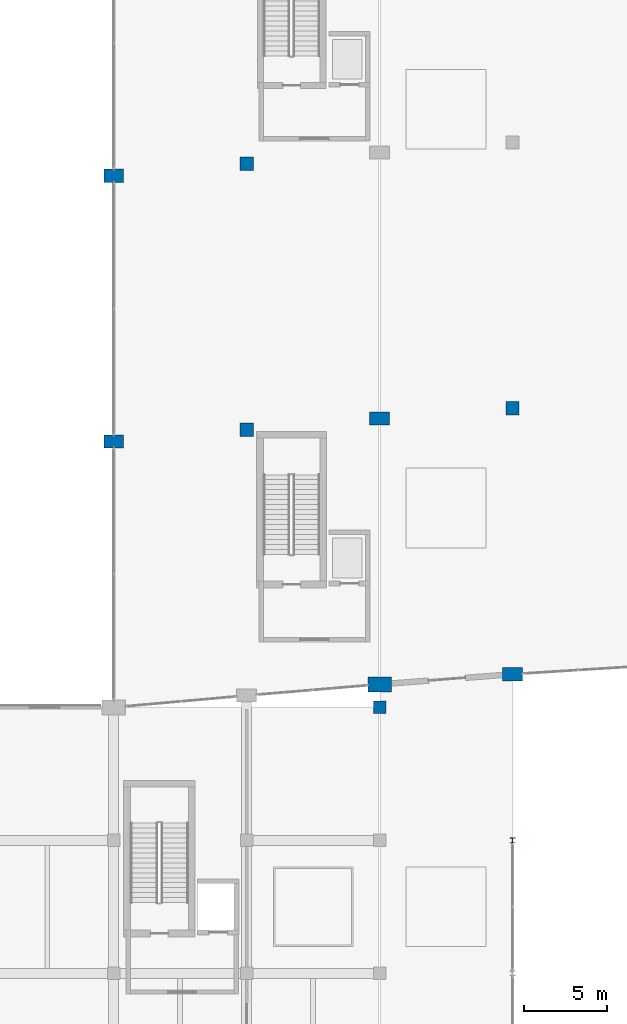
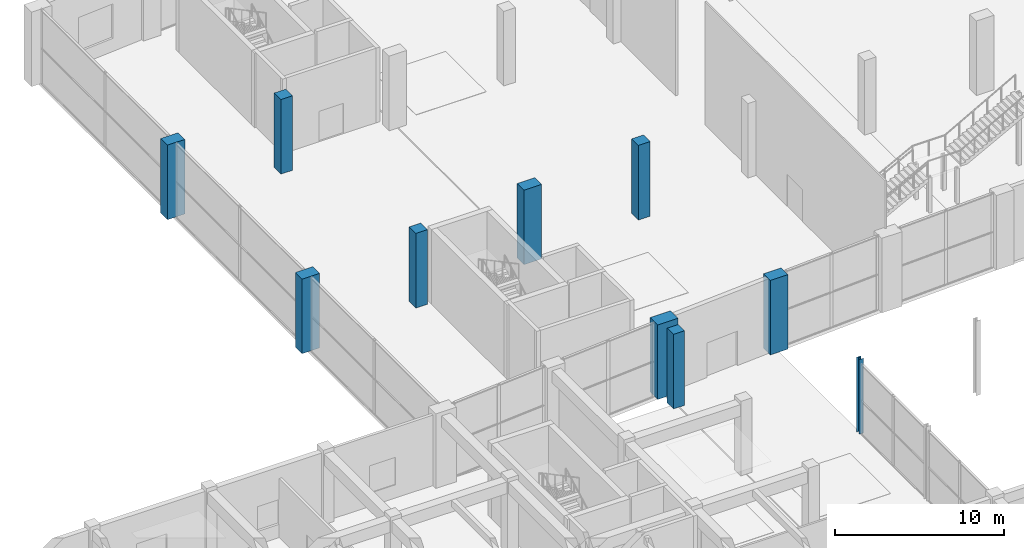
# One storey, part 10 of 86: 10 columns.
"""IFC4 building model written with IfcOpenShell, lengths in metres."""

import ifcopenshell
import ifcopenshell.guid

model = None  # the IFC model being written
_history = None  # IfcOwnerHistory: only IFC2X3 demands one
_inside = {}  # id of a spatial element -> (the spatial element, [elements in it])
_under = {}  # id of a project, library or spatial element -> (it, [spatial elements below it])
_declared = {}  # id of a project -> (the project, [libraries it declares])
_typed = {}  # id of a type object -> (the type object, [elements of that type])
_made_of = {}  # id of a material, layer set ... -> (it, [elements and type objects made of it])


def new_model(schema):
    """Start an empty IFC model of exactly this schema.

    Asked for "IFC4X3", IfcOpenShell would pick the latest addendum, in which some entities
    have other attributes; the version numbers below select the first issue.
    IFC2X3 requires an IfcOwnerHistory on every rooted entity: one is made here for all.
    """
    global model, _history
    if schema == "IFC4X3":
        model = ifcopenshell.file(schema_version=(4, 3, 0, 0))
    else:
        model = ifcopenshell.file(schema=schema)
    _inside.clear()
    _under.clear()
    _declared.clear()
    _typed.clear()
    _made_of.clear()
    _history = None
    if model.schema == "IFC2X3":
        org = make("IfcOrganization", Name="unknown")
        user = make(
            "IfcPersonAndOrganization",
            ThePerson=make("IfcPerson", FamilyName="unknown"),
            TheOrganization=org,
        )
        app = make(
            "IfcApplication",
            ApplicationDeveloper=org,
            Version="unknown",
            ApplicationFullName="unknown",
            ApplicationIdentifier="unknown",
        )
        _history = make(
            "IfcOwnerHistory",
            OwningUser=user,
            OwningApplication=app,
            ChangeAction="ADDED",
            CreationDate=0,
        )
    return model


def make(cls, **values):
    """One entity of the class cls with the attributes given. An attribute that is None is left unset."""
    return model.create_entity(
        cls, **{name: value for name, value in values.items() if value is not None}
    )


def rooted(cls, **values):
    """An entity with a GlobalId (a new one), such as an element, a storey or a relation."""
    return make(cls, GlobalId=ifcopenshell.guid.new(), OwnerHistory=_history, **values)


def si_unit(unit_type, name, prefix=None):
    """IfcSIUnit, for example si_unit("LENGTHUNIT", "METRE", prefix="MILLI")."""
    return make("IfcSIUnit", UnitType=unit_type, Prefix=prefix, Name=name)


def assignment(units):
    """IfcUnitAssignment: the units of a project."""
    return None if units is None else make("IfcUnitAssignment", Units=units)


def point(xyz):
    """IfcCartesianPoint."""
    return None if xyz is None else make("IfcCartesianPoint", Coordinates=xyz)


def direction(xyz):
    """IfcDirection."""
    return None if xyz is None else make("IfcDirection", DirectionRatios=xyz)


def frame(location, z_axis=None, x_axis=None):
    """IfcAxis2Placement3D, a coordinate frame: its origin and axes. An axis left out is left unset."""
    return make(
        "IfcAxis2Placement3D",
        Location=point(location),
        Axis=direction(z_axis),
        RefDirection=direction(x_axis),
    )


def frame_2d(location, x_axis=None):
    """IfcAxis2Placement2D, a coordinate frame in the plane: its origin and x axis."""
    return make(
        "IfcAxis2Placement2D", Location=point(location), RefDirection=direction(x_axis)
    )


def origin():
    """The frame at (0, 0, 0) with its axes left unset."""
    return frame((0.0, 0.0, 0.0))


def origin_2d():
    """The frame at (0, 0) in the plane with its x axis left unset."""
    return frame_2d((0.0, 0.0))


def place(relative_to, where):
    """IfcLocalPlacement: puts the frame where relative to a parent placement (None: the world)."""
    return make(
        "IfcLocalPlacement", PlacementRelTo=relative_to, RelativePlacement=where
    )


def context(
    kind, dimensions, precision=None, world=None, true_north=None, identifier=None
):
    """IfcGeometricRepresentationContext, for example the 3D "Model" context."""
    return make(
        "IfcGeometricRepresentationContext",
        ContextIdentifier=identifier,
        ContextType=kind,
        CoordinateSpaceDimension=dimensions,
        Precision=precision,
        WorldCoordinateSystem=world,
        TrueNorth=true_north,
    )


def subcontext(parent, identifier, kind, view, scale=None):
    """IfcGeometricRepresentationSubContext, for example "Body" below "Model"."""
    return make(
        "IfcGeometricRepresentationSubContext",
        ContextIdentifier=identifier,
        ContextType=kind,
        ParentContext=parent,
        TargetScale=scale,
        TargetView=view,
    )


def project(units=None, contexts=None):
    """IfcProject with its units and contexts."""
    return rooted(
        "IfcProject",
        Name="project",
        RepresentationContexts=contexts,
        UnitsInContext=assignment(units),
    )


def spatial(cls, under=None, at=None, **own):
    """A site, building, storey or space (cls), placed at a placement, below another one or the project."""
    s = rooted(cls, ObjectPlacement=at, **own)
    if under is not None:
        _under.setdefault(under.id(), (under, []))[1].append(s)
    return s


def profile(cls, at=None, kind="AREA", **sizes):
    """A parametric profile (cls). Its sizes go by their IFC names, for example OverallWidth=200.0."""
    return make(cls, ProfileType=kind, Position=at, **sizes)


def rectangle(**sizes):
    """IfcRectangleProfileDef."""
    return profile("IfcRectangleProfileDef", **sizes)


def i_section(**sizes):
    """IfcIShapeProfileDef."""
    return profile("IfcIShapeProfileDef", **sizes)


def extrude(swept, where, along, depth):
    """IfcExtrudedAreaSolid: the profile swept, set in the frame where, extruded along a direction by depth."""
    return make(
        "IfcExtrudedAreaSolid",
        SweptArea=swept,
        Position=where,
        ExtrudedDirection=direction(along),
        Depth=depth,
    )


def shape(context_of_items, identifier, shape_type, items):
    """IfcShapeRepresentation: the items that make up one representation, for example the "Body"."""
    return make(
        "IfcShapeRepresentation",
        ContextOfItems=context_of_items,
        RepresentationIdentifier=identifier,
        RepresentationType=shape_type,
        Items=items,
    )


def material(Name=None, Category=None):
    """IfcMaterial."""
    return make("IfcMaterial", Name=Name, Category=Category)


def material_profile(
    of_material, cross_section, Name=None, Category=None, Priority=None
):
    """IfcMaterialProfile: a cross section and its material."""
    return make(
        "IfcMaterialProfile",
        Name=Name,
        Material=of_material,
        Profile=cross_section,
        Priority=Priority,
        Category=Category,
    )


def profile_set(profiles, Name=None, composite=None):
    """IfcMaterialProfileSet."""
    return make(
        "IfcMaterialProfileSet",
        Name=Name,
        MaterialProfiles=profiles,
        CompositeProfile=composite,
    )


def made_of(thing, what):
    """Note that an element or type object is made of a material, layer set ...; save() writes the relation."""
    if what is not None:
        _made_of.setdefault(what.id(), (what, []))[1].append(thing)
    return thing


def type_object(cls, material=None, **own):
    """A type object (cls), such as IfcWallType, which elements share."""
    return made_of(rooted(cls, **own), material)


def element(
    cls,
    number,
    at=None,
    inside=None,
    cuts=None,
    type_object=None,
    material=None,
    context=None,
    identifier="Body",
    shape_type=None,
    held_by="IfcProductDefinitionShape",
    body=None,
    shapes=None,
    **own,
):
    """One element of the class cls, such as IfcWall. Its Tag is "e" and its number.

    at: its placement. inside: the storey or other place that contains it. cuts: it is an
    opening in that element (IfcRelVoidsElement). A single representation is given by context,
    identifier, shape_type and body (its items); several are given by shapes. held_by: the class
    of the entity that holds the representations. save() writes the other relations.
    """
    e = rooted(cls, Tag="e%d" % number, ObjectPlacement=at, **own)
    if body is not None:
        shapes = [shape(context, identifier, shape_type, body)]
    if shapes is not None:
        e.Representation = make(held_by, Representations=shapes)
    if inside is not None:
        _inside.setdefault(inside.id(), (inside, []))[1].append(e)
    if cuts is not None:
        rooted(
            "IfcRelVoidsElement", RelatingBuildingElement=cuts, RelatedOpeningElement=e
        )
    if type_object is not None:
        _typed.setdefault(type_object.id(), (type_object, []))[1].append(e)
    return made_of(e, material)


def aggregate(whole, parts):
    """IfcRelAggregates: a whole, such as a stair, and the parts it consists of."""
    return rooted("IfcRelAggregates", RelatingObject=whole, RelatedObjects=parts)


def save(model, path):
    """Write the relations noted so far, then the file.

    IfcRelAggregates (storeys below a building ...), IfcRelContainedInSpatialStructure (elements
    in a storey), IfcRelDefinesByType, IfcRelAssociatesMaterial and IfcRelDeclares: one each for
    every whole, place, type object, material and project.
    """
    for whole, parts in _under.values():
        aggregate(whole, parts)
    for where, things in _inside.values():
        rooted(
            "IfcRelContainedInSpatialStructure",
            RelatedElements=things,
            RelatingStructure=where,
        )
    for kind, things in _typed.values():
        rooted("IfcRelDefinesByType", RelatedObjects=things, RelatingType=kind)
    for what, things in _made_of.values():
        rooted("IfcRelAssociatesMaterial", RelatedObjects=things, RelatingMaterial=what)
    for by, libraries in _declared.values():
        rooted("IfcRelDeclares", RelatingContext=by, RelatedDefinitions=libraries)
    model.write(path)


model = new_model("IFC4")

# Units and contexts
model_context = context("Model", 3, precision=1e-05, world=origin(), true_north=direction((0.0, 1.0)))
body_context = subcontext(model_context, "Body", "Model", "MODEL_VIEW")
ifc_project = project(units=[si_unit("LENGTHUNIT", "METRE"), si_unit("AREAUNIT", "SQUARE_METRE"), si_unit("VOLUMEUNIT", "CUBIC_METRE"), si_unit("PLANEANGLEUNIT", "RADIAN"), si_unit("MASSUNIT", "GRAM", prefix="KILO")], contexts=[model_context])

# Site, building, storey
site_placement = place(None, origin())
site = spatial("IfcSite", under=ifc_project, at=site_placement, CompositionType="ELEMENT")
building_placement = place(site_placement, origin())
building = spatial("IfcBuilding", under=site, at=building_placement, Name="Kenh Van Central Station", CompositionType="ELEMENT")
storey_placement = place(building_placement, origin())
storey = spatial("IfcBuildingStorey", under=building, at=storey_placement, Name="L00", CompositionType="ELEMENT", Elevation=0.0)

# Columns
ifc_material_1 = material(Name="Concrete C40/50", Category="concrete")
ifc_material_profile_1 = material_profile(ifc_material_1, rectangle(XDim=1.199951171875, YDim=0.800048828125, at=origin_2d()), Name="RC 1200x800")
ifc_profile_set_1 = profile_set([ifc_material_profile_1], Name="Concrete C40/50")
column_type_1 = type_object("IfcColumnType", Name="COL-PIER-1200x800", PredefinedType="COLUMN", material=ifc_profile_set_1)
for number, where, z_axis, x_axis, name in (
    (1, (32.0, 80.0, 0.0), (0.0, 0.0, 1.0), (1.0, 0.0, 0.0), "L00 column VP-00-1"),
    (2, (32.0, 96.0, 0.0), (0.0, 0.0, 1.0), (1.0, 0.0, 0.0), "L00 column VP-00-2"),
    (3, (48.0, 81.388427734375, 0.0), (0.0, 0.0, 1.0), (1.0, 0.0, 0.0), "L00 column VP-02-1"),
    (4, (56.0, 65.9951171875, 0.0), (0.0, 0.0, 1.0), (1.0, 0.0, 0.0), "L00 column VPI-03-0"),
):
    element("IfcColumn", number, at=place(storey_placement, frame(where, z_axis=z_axis, x_axis=x_axis)), inside=storey, type_object=column_type_1, Name=name, PredefinedType="COLUMN", context=body_context, shape_type="SweptSolid", body=[
        extrude(rectangle(XDim=1.199951171875, YDim=0.800048828125, at=origin_2d()), origin(), (0.0, 0.0, 1.0), 5.39990234375),
    ])
ifc_material_profile_2 = material_profile(ifc_material_1, rectangle(XDim=1.39990234375, YDim=0.89990234375, at=origin_2d()), Name="RC 1400x900")
ifc_profile_set_2 = profile_set([ifc_material_profile_2], Name="Concrete C40/50")
column_type_2 = type_object("IfcColumnType", Name="COL-PIER-1400x900", PredefinedType="COLUMN", material=ifc_profile_set_2)
column_1_placement = place(storey_placement, frame((48.0, 65.388427734375, 0.0), z_axis=(0.0, 0.0, 1.0), x_axis=(1.0, 0.0, 0.0)))
element("IfcColumn", 5, at=column_1_placement, inside=storey, type_object=column_type_2, Name="L00 column VP-02-0", PredefinedType="COLUMN", context=body_context, shape_type="SweptSolid", body=[
    extrude(rectangle(XDim=1.39990234375, YDim=0.89990234375, at=origin_2d()), origin(), (0.0, 0.0, 1.0), 5.39990234375),
])
ifc_material_profile_3 = material_profile(ifc_material_1, rectangle(XDim=0.75, YDim=0.75, at=origin_2d()), Name="RC 750x750")
ifc_profile_set_3 = profile_set([ifc_material_profile_3], Name="Concrete C40/50")
column_type_3 = type_object("IfcColumnType", Name="COL-RC-750x750", PredefinedType="COLUMN", material=ifc_profile_set_3)
column_2_placement = place(storey_placement, frame((48.0, 64.0, 0.0), z_axis=(0.0, 0.0, 1.0), x_axis=(1.0, 0.0, 0.0)))
element("IfcColumn", 6, at=column_2_placement, inside=storey, type_object=column_type_3, Name="L00 column CWST-48-64", PredefinedType="COLUMN", context=body_context, shape_type="SweptSolid", body=[
    extrude(rectangle(XDim=0.75, YDim=0.75, at=origin_2d()), origin(), (0.0, 0.0, 1.0), 5.39990234375),
])
ifc_material_profile_4 = material_profile(ifc_material_1, rectangle(XDim=0.800048828125, YDim=0.800048828125, at=origin_2d()), Name="RC 800x800")
ifc_profile_set_4 = profile_set([ifc_material_profile_4], Name="Concrete C40/50")
column_type_4 = type_object("IfcColumnType", Name="COL-RC-800x800", PredefinedType="COLUMN", material=ifc_profile_set_4)
for number, where, z_axis, x_axis, name in (
    (7, (40.0, 80.712158203125, 0.0), (0.0, 0.0, 1.0), (1.0, 0.0, 0.0), "L00 column VP-01-1"),
    (8, (40.0, 96.712158203125, 0.0), (0.0, 0.0, 1.0), (1.0, 0.0, 0.0), "L00 column VP-01-2"),
    (9, (56.0, 81.9951171875, 0.0), (0.0, 0.0, 1.0), (1.0, 0.0, 0.0), "L00 column VP-03-1"),
):
    element("IfcColumn", number, at=place(storey_placement, frame(where, z_axis=z_axis, x_axis=x_axis)), inside=storey, type_object=column_type_4, Name=name, PredefinedType="COLUMN", context=body_context, shape_type="SweptSolid", body=[
        extrude(rectangle(XDim=0.800048828125, YDim=0.800048828125, at=origin_2d()), origin(), (0.0, 0.0, 1.0), 5.39990234375),
    ])
ifc_material_2 = material(Name="Steel S355", Category="steel")
ifc_material_profile_5 = material_profile(ifc_material_2, i_section(OverallWidth=0.300048828125, OverallDepth=0.300048828125, WebThickness=0.010986328125, FlangeThickness=0.01904296875, FilletRadius=0.027099609375, at=origin_2d()), Name="HEB 300")
ifc_profile_set_5 = profile_set([ifc_material_profile_5], Name="Steel S355")
column_type_5 = type_object("IfcColumnType", Name="COL-STL-HEB300", PredefinedType="COLUMN", material=ifc_profile_set_5)
column_3_placement = place(storey_placement, frame((56.0, 56.0, 0.0), z_axis=(0.0, 0.0, 1.0), x_axis=(1.0, 0.0, 0.0)))
element("IfcColumn", 10, at=column_3_placement, inside=storey, type_object=column_type_5, Name="L00 column CL-056-056", PredefinedType="COLUMN", context=body_context, shape_type="SweptSolid", body=[
    extrude(i_section(OverallWidth=0.300048828125, OverallDepth=0.300048828125, WebThickness=0.010986328125, FlangeThickness=0.01904296875, FilletRadius=0.027099609375, at=origin_2d()), origin(), (0.0, 0.0, 1.0), 5.39990234375),
])

save(model, "model.ifc")
